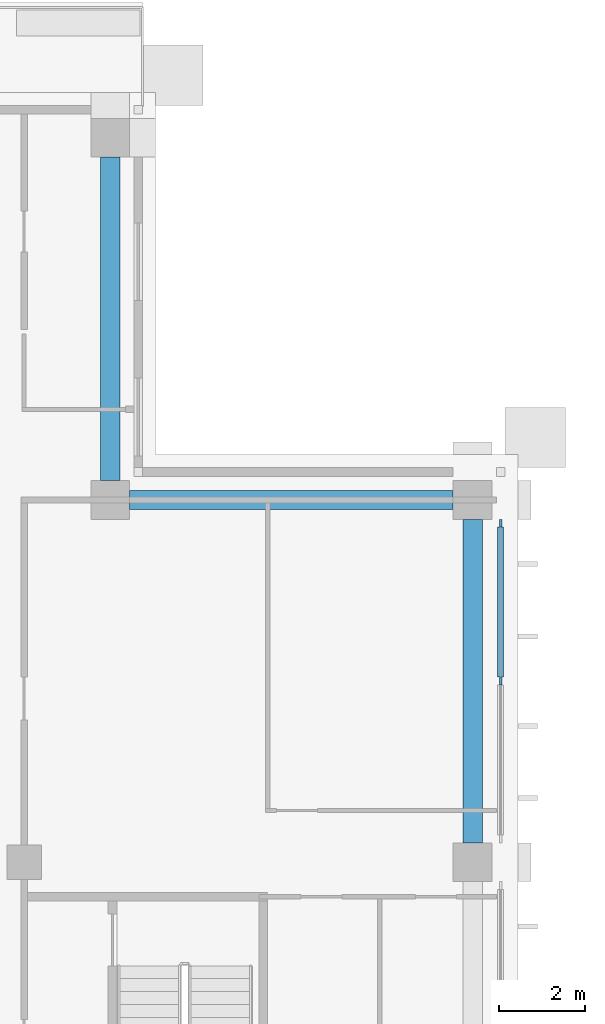
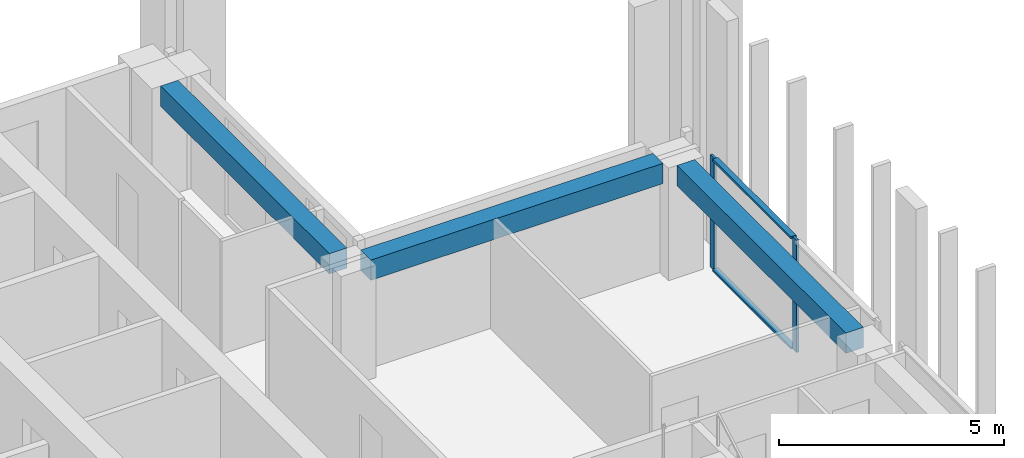
# One storey, part 6 of 18: 4 members, 3 beams, 1 element without a shape of its own.
"""IFC4 building model written with IfcOpenShell, lengths in metres."""

from ifc_helpers import new_model, si_unit, direction, frame, origin, origin_2d, place, context, subcontext, project, spatial, rectangle, extrude, material, material_profile, profile_set, type_object, element, aggregate, save


model = new_model("IFC4")

# Units and contexts
model_context = context("Model", 3, precision=1e-05, world=origin(), true_north=direction((0.0, 1.0)))
body_context = subcontext(model_context, "Body", "Model", "MODEL_VIEW")
ifc_project = project(units=[si_unit("LENGTHUNIT", "METRE"), si_unit("AREAUNIT", "SQUARE_METRE"), si_unit("VOLUMEUNIT", "CUBIC_METRE"), si_unit("PLANEANGLEUNIT", "RADIAN"), si_unit("MASSUNIT", "GRAM", prefix="KILO")], contexts=[model_context])

# Site, building, storey
site_placement = place(None, origin())
site = spatial("IfcSite", under=ifc_project, at=site_placement, CompositionType="ELEMENT")
building_placement = place(site_placement, origin())
building = spatial("IfcBuilding", under=site, at=building_placement, Name="Vermilion Ogive Tower", CompositionType="ELEMENT")
storey_placement = place(building_placement, frame((0.0, 0.0, 254.5)))
storey = spatial("IfcBuildingStorey", under=building, at=storey_placement, Name="L67", CompositionType="ELEMENT", Elevation=254.5)

# Curtain wall, members
ifc_material_1 = material(Name="Low-iron laminated glazing in aluminium frame", Category="aluminium")
curtain_wall_type = type_object("IfcCurtainWallType", Name="Curtain wall CW7", PredefinedType="NOTDEFINED", material=ifc_material_1)
curtain_wall_placement = place(storey_placement, origin())
curtain_wall = element("IfcCurtainWall", 1, at=curtain_wall_placement, inside=storey, type_object=curtain_wall_type, Name="Glazed skin E3", PredefinedType="NOTDEFINED")
ifc_material_2 = material(Name="Aluminium mullion", Category="aluminium")
ifc_material_profile_1 = material_profile(ifc_material_2, rectangle(XDim=0.06005859375, YDim=0.179931640625, at=origin_2d()), Name="AL 60x180")
ifc_profile_set_1 = profile_set([ifc_material_profile_1], Name="Aluminium mullion")
member_type_1 = type_object("IfcMemberType", Name="CW7 mullion 60x180", PredefinedType="MULLION", material=ifc_profile_set_1)
member_1_placement = place(storey_placement, frame((25.85009765625, 8.39990234375, 0.0), z_axis=(0.0, 0.0, 1.0), x_axis=(-1.0, 0.0, 0.0)))
member_1 = element("IfcMember", 2, at=member_1_placement, type_object=member_type_1, Name="CW7-E3 mullion 2", PredefinedType="MULLION", context=body_context, shape_type="SweptSolid", body=[
    extrude(rectangle(XDim=0.06005859375, YDim=0.179931640625, at=origin_2d()), origin(), (0.0, 0.0, 1.0), 3.050048828125),
])
member_2_placement = place(storey_placement, frame((25.85009765625, 12.06005859375, 0.0), z_axis=(0.0, 0.0, 1.0), x_axis=(-1.0, 0.0, 0.0)))
member_2 = element("IfcMember", 3, at=member_2_placement, type_object=member_type_1, Name="CW7-E3 mullion 3", PredefinedType="MULLION", context=body_context, shape_type="SweptSolid", body=[
    extrude(rectangle(XDim=0.06005859375, YDim=0.179931640625, at=origin_2d()), origin(), (0.0, 0.0, 1.0), 3.050048828125),
])
ifc_material_3 = material(Name="Aluminium transom", Category="aluminium")
ifc_material_profile_2 = material_profile(ifc_material_3, rectangle(XDim=0.139892578125, YDim=0.06005859375, at=origin_2d()), Name="AL 60x140")
ifc_profile_set_2 = profile_set([ifc_material_profile_2], Name="Aluminium transom")
member_type_2 = type_object("IfcMemberType", Name="CW7 transom 60x140", PredefinedType="USERDEFINED", material=ifc_profile_set_2)
member_3_placement = place(storey_placement, frame((25.85009765625, 8.489990234375, 0.030029296875), z_axis=(0.0, 1.0, 0.0), x_axis=(-1.0, 0.0, 0.0)))
member_3 = element("IfcMember", 4, at=member_3_placement, type_object=member_type_2, Name="CW7-E3 transom 2.1", ObjectType="TRANSOM", PredefinedType="USERDEFINED", context=body_context, shape_type="SweptSolid", body=[
    extrude(rectangle(XDim=0.139892578125, YDim=0.06005859375, at=origin_2d()), origin(), (0.0, 0.0, 1.0), 3.47998046875),
])
member_4_placement = place(storey_placement, frame((25.85009765625, 8.489990234375, 3.02001953125), z_axis=(0.0, 1.0, 0.0), x_axis=(-1.0, 0.0, 0.0)))
member_4 = element("IfcMember", 5, at=member_4_placement, type_object=member_type_2, Name="CW7-E3 transom 2.2", ObjectType="TRANSOM", PredefinedType="USERDEFINED", context=body_context, shape_type="SweptSolid", body=[
    extrude(rectangle(XDim=0.139892578125, YDim=0.06005859375, at=origin_2d()), origin(), (0.0, 0.0, 1.0), 3.47998046875),
])
aggregate(curtain_wall, [member_1, member_2, member_3, member_4])

# Beams
ifc_material_4 = material(Name="Concrete B45", Category="concrete")
ifc_material_profile_3 = material_profile(ifc_material_4, rectangle(XDim=0.449951171875, YDim=0.550048828125, at=origin_2d()), Name="450 x 550")
ifc_profile_set_3 = profile_set([ifc_material_profile_3], Name="Concrete B45")
beam_type = type_object("IfcBeamType", Name="Edge beam 450 x 550 B45", PredefinedType="BEAM", material=ifc_profile_set_3)
for number, where, z_axis, x_axis, name in (
    (6, (25.199951171875, 4.64990234375, 2.77490234375), (0.0, 1.0, 0.0), (-1.0, 0.0, 0.0), "L67-EB-9"),
    (7, (24.75, 12.60009765625, 2.77490234375), (-1.0, 0.0, 0.0), (0.0, -1.0, 0.0), "L67-EB-10"),
    (8, (16.800048828125, 13.050048828125, 2.77490234375), (0.0, 1.0, 0.0), (-1.0, 0.0, 0.0), "L67-EB-11"),
):
    element("IfcBeam", number, at=place(storey_placement, frame(where, z_axis=z_axis, x_axis=x_axis)), inside=storey, type_object=beam_type, Name=name, PredefinedType="BEAM", context=body_context, shape_type="SweptSolid", body=[
        extrude(rectangle(XDim=0.449951171875, YDim=0.550048828125, at=origin_2d()), origin(), (0.0, 0.0, 1.0), 7.5),
    ])

save(model, "model.ifc")
